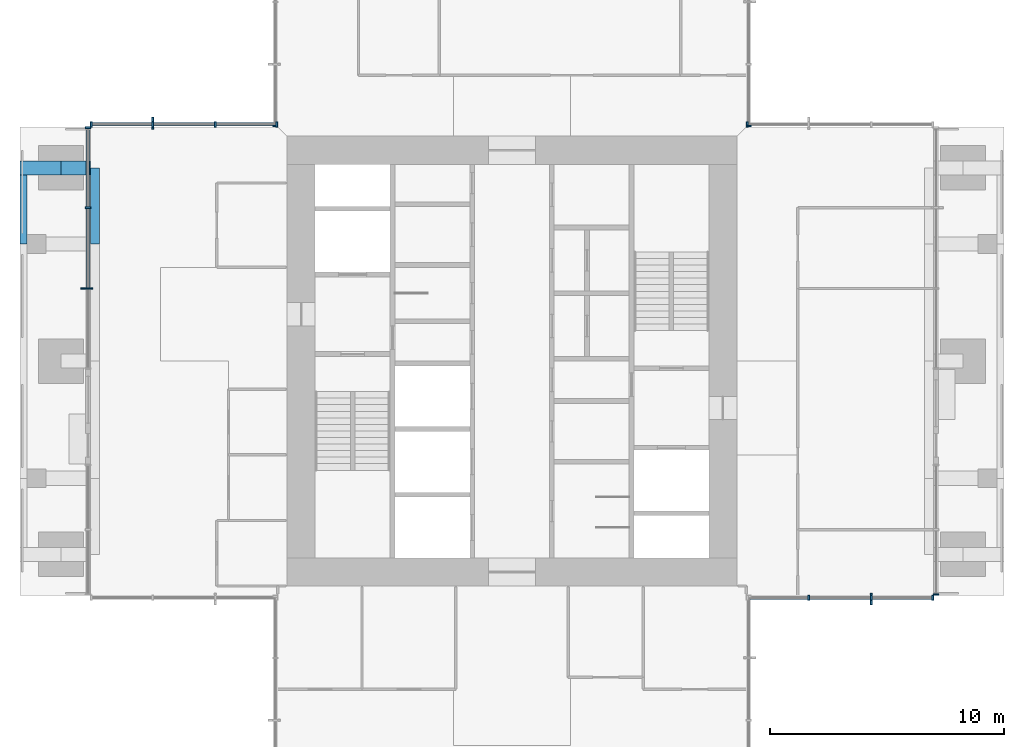
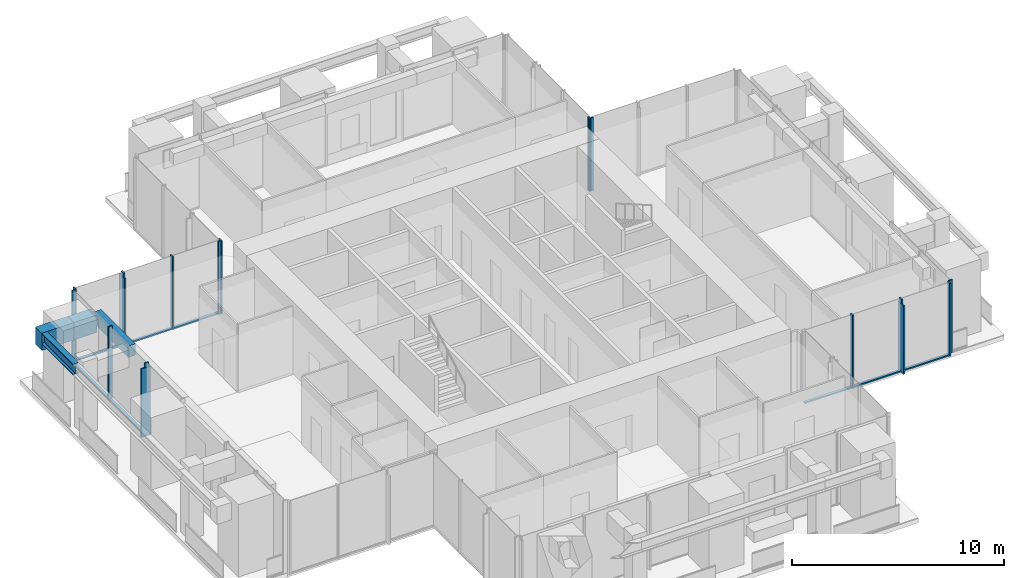
# One storey, part 3 of 12: 25 members, 4 beams, 7 elements without a shape of their own.
"""IFC4 building model written with IfcOpenShell, lengths in metres."""

from ifc_helpers import new_model, si_unit, direction, frame, origin, origin_2d, place, context, subcontext, project, spatial, rectangle, i_section, extrude, material, material_profile, profile_set, type_object, element, aggregate, save


model = new_model("IFC4")

# Units and contexts
model_context = context("Model", 3, precision=1e-05, world=origin(), true_north=direction((0.0, 1.0)))
body_context = subcontext(model_context, "Body", "Model", "MODEL_VIEW")
ifc_project = project(units=[si_unit("LENGTHUNIT", "METRE"), si_unit("AREAUNIT", "SQUARE_METRE"), si_unit("VOLUMEUNIT", "CUBIC_METRE"), si_unit("PLANEANGLEUNIT", "RADIAN"), si_unit("MASSUNIT", "GRAM", prefix="KILO")], contexts=[model_context])

# Site, building, storey
site_placement = place(None, origin())
site = spatial("IfcSite", under=ifc_project, at=site_placement, CompositionType="ELEMENT")
building_placement = place(site_placement, origin())
building = spatial("IfcBuilding", under=site, at=building_placement, Name="Svetlomir Tower", CompositionType="ELEMENT")
storey_placement = place(building_placement, frame((0.0, 0.0, 252.39990234375)))
storey = spatial("IfcBuildingStorey", under=building, at=storey_placement, Name="L60", CompositionType="ELEMENT", Elevation=252.39990234375)

# Curtain wall, member
ifc_material_1 = material(Name="Bronze anodised aluminium curtain wall", Category="aluminium")
curtain_wall_type = type_object("IfcCurtainWallType", Name="CURTAIN WALL CW4 EXECUTIVE", PredefinedType="NOTDEFINED", material=ifc_material_1)
curtain_wall_1_placement = place(storey_placement, origin())
curtain_wall_1 = element("IfcCurtainWall", 1, at=curtain_wall_1_placement, inside=storey, type_object=curtain_wall_type, Name="Curtain wall CW4 L60", PredefinedType="NOTDEFINED")
ifc_material_2 = material(Name="Bronze anodised aluminium", Category="aluminium")
ifc_material_profile_1 = material_profile(ifc_material_2, rectangle(XDim=0.080078125, YDim=0.5, at=origin_2d()), Name="FIN 80x500")
ifc_profile_set_1 = profile_set([ifc_material_profile_1], Name="Bronze anodised aluminium 6063-T6")
member_type_1 = type_object("IfcMemberType", Name="BRONZE FIN 80x500", PredefinedType="USERDEFINED", material=ifc_profile_set_1)
member_1_placement = place(storey_placement, frame((36.333251953125, 10.85009765625, 0.0), z_axis=(0.0, 0.0, 1.0), x_axis=(1.0, 0.0, 0.0)))
member_1 = element("IfcMember", 2, at=member_1_placement, type_object=member_type_1, Name="Bronze fin L60", ObjectType="FIN", PredefinedType="USERDEFINED", context=body_context, shape_type="SweptSolid", body=[
    extrude(rectangle(XDim=0.080078125, YDim=0.5, at=origin_2d()), origin(), (0.0, 0.0, 1.0), 3.9501953125),
])

curtain_wall_2_placement = place(storey_placement, origin())
curtain_wall_2 = element("IfcCurtainWall", 3, at=curtain_wall_2_placement, inside=storey, type_object=curtain_wall_type, Name="Curtain wall CW4 L60", PredefinedType="NOTDEFINED")
member_2_placement = place(storey_placement, frame((5.666748046875, 31.14990234375, 0.0), z_axis=(0.0, 0.0, 1.0), x_axis=(1.0, 0.0, 0.0)))
member_2 = element("IfcMember", 4, at=member_2_placement, type_object=member_type_1, Name="Bronze fin L60", ObjectType="FIN", PredefinedType="USERDEFINED", context=body_context, shape_type="SweptSolid", body=[
    extrude(rectangle(XDim=0.080078125, YDim=0.5, at=origin_2d()), origin(), (0.0, 0.0, 1.0), 3.9501953125),
])

curtain_wall_3_placement = place(storey_placement, origin())
curtain_wall_3 = element("IfcCurtainWall", 5, at=curtain_wall_3_placement, inside=storey, type_object=curtain_wall_type, Name="Curtain wall CW4 L60", PredefinedType="NOTDEFINED")
member_3_placement = place(storey_placement, frame((2.85009765625, 24.10009765625, 0.0), z_axis=(0.0, 0.0, 1.0), x_axis=(0.0, 1.0, 0.0)))
member_3 = element("IfcMember", 6, at=member_3_placement, type_object=member_type_1, Name="Bronze fin L60", ObjectType="FIN", PredefinedType="USERDEFINED", context=body_context, shape_type="SweptSolid", body=[
    extrude(rectangle(XDim=0.080078125, YDim=0.5, at=origin_2d()), origin(), (0.0, 0.0, 1.0), 3.9501953125),
])

# Member
ifc_material_3 = material(Name="Bronze anodised aluminium", Category="aluminium")
ifc_material_profile_2 = material_profile(ifc_material_3, rectangle(XDim=0.074951171875, YDim=0.219970703125, at=origin_2d()), Name="AL 75x220")
ifc_profile_set_2 = profile_set([ifc_material_profile_2], Name="Bronze anodised aluminium 6063-T6")
member_type_2 = type_object("IfcMemberType", Name="CW4 MULLION 75x220", PredefinedType="MULLION", material=ifc_profile_set_2)
member_4_placement = place(storey_placement, frame((33.666748046875, 10.89990234375, 0.0), z_axis=(0.0, 0.0, 1.0), x_axis=(1.0, 0.0, 0.0)))
member_4 = element("IfcMember", 7, at=member_4_placement, type_object=member_type_2, Name="CW4 mullion 2", PredefinedType="MULLION", context=body_context, shape_type="SweptSolid", body=[
    extrude(rectangle(XDim=0.074951171875, YDim=0.219970703125, at=origin_2d()), origin(), (0.0, 0.0, 1.0), 4.2001953125),
])

member_5_placement = place(storey_placement, frame((36.333251953125, 10.89990234375, 0.0), z_axis=(0.0, 0.0, 1.0), x_axis=(1.0, 0.0, 0.0)))
member_5 = element("IfcMember", 8, at=member_5_placement, type_object=member_type_2, Name="CW4 mullion 3", PredefinedType="MULLION", context=body_context, shape_type="SweptSolid", body=[
    extrude(rectangle(XDim=0.074951171875, YDim=0.219970703125, at=origin_2d()), origin(), (0.0, 0.0, 1.0), 4.2001953125),
])

member_6_placement = place(storey_placement, frame((38.96240234375, 10.89990234375, 0.0), z_axis=(0.0, 0.0, 1.0), x_axis=(1.0, 0.0, 0.0)))
member_6 = element("IfcMember", 9, at=member_6_placement, type_object=member_type_2, Name="CW4 mullion 4", PredefinedType="MULLION", context=body_context, shape_type="SweptSolid", body=[
    extrude(rectangle(XDim=0.074951171875, YDim=0.219970703125, at=origin_2d()), origin(), (0.0, 0.0, 1.0), 4.2001953125),
])

# Curtain wall, member
curtain_wall_4_placement = place(storey_placement, origin())
curtain_wall_4 = element("IfcCurtainWall", 10, at=curtain_wall_4_placement, inside=storey, type_object=curtain_wall_type, Name="Curtain wall CW4 L60", PredefinedType="NOTDEFINED")
member_7_placement = place(storey_placement, frame((39.10009765625, 11.03759765625, 0.0), z_axis=(0.0, 0.0, 1.0), x_axis=(0.0, 1.0, 0.0)))
member_7 = element("IfcMember", 11, at=member_7_placement, type_object=member_type_2, Name="CW4 mullion 1", PredefinedType="MULLION", context=body_context, shape_type="SweptSolid", body=[
    extrude(rectangle(XDim=0.074951171875, YDim=0.219970703125, at=origin_2d()), origin(), (0.0, 0.0, 1.0), 4.2001953125),
])
aggregate(curtain_wall_4, [member_7])

curtain_wall_5_placement = place(storey_placement, origin())
curtain_wall_5 = element("IfcCurtainWall", 12, at=curtain_wall_5_placement, inside=storey, type_object=curtain_wall_type, Name="Curtain wall CW4 L60", PredefinedType="NOTDEFINED")
member_8_placement = place(storey_placement, frame((31.03759765625, 31.10009765625, 0.0), z_axis=(0.0, 0.0, 1.0), x_axis=(-1.0, 0.0, 0.0)))
member_8 = element("IfcMember", 13, at=member_8_placement, type_object=member_type_2, Name="CW4 mullion 4", PredefinedType="MULLION", context=body_context, shape_type="SweptSolid", body=[
    extrude(rectangle(XDim=0.074951171875, YDim=0.219970703125, at=origin_2d()), origin(), (0.0, 0.0, 1.0), 4.2001953125),
])
aggregate(curtain_wall_5, [member_8])

curtain_wall_6_placement = place(storey_placement, origin())
curtain_wall_6 = element("IfcCurtainWall", 14, at=curtain_wall_6_placement, inside=storey, type_object=curtain_wall_type, Name="Curtain wall CW4 L60", PredefinedType="NOTDEFINED")
member_9_placement = place(storey_placement, frame((31.10009765625, 31.03759765625, 0.0), z_axis=(0.0, 0.0, 1.0), x_axis=(0.0, 1.0, 0.0)))
member_9 = element("IfcMember", 15, at=member_9_placement, type_object=member_type_2, Name="CW4 mullion 1", PredefinedType="MULLION", context=body_context, shape_type="SweptSolid", body=[
    extrude(rectangle(XDim=0.074951171875, YDim=0.219970703125, at=origin_2d()), origin(), (0.0, 0.0, 1.0), 4.2001953125),
])
aggregate(curtain_wall_6, [member_9])

curtain_wall_7_placement = place(storey_placement, origin())
curtain_wall_7 = element("IfcCurtainWall", 16, at=curtain_wall_7_placement, inside=storey, type_object=curtain_wall_type, Name="Curtain wall CW4 L60", PredefinedType="NOTDEFINED")
member_10_placement = place(storey_placement, frame((10.89990234375, 31.03759765625, 0.0), z_axis=(0.0, 0.0, 1.0), x_axis=(0.0, -1.0, 0.0)))
member_10 = element("IfcMember", 17, at=member_10_placement, type_object=member_type_2, Name="CW4 mullion 4", PredefinedType="MULLION", context=body_context, shape_type="SweptSolid", body=[
    extrude(rectangle(XDim=0.074951171875, YDim=0.219970703125, at=origin_2d()), origin(), (0.0, 0.0, 1.0), 4.2001953125),
])
aggregate(curtain_wall_7, [member_10])

# Member
member_11_placement = place(storey_placement, frame((10.96240234375, 31.10009765625, 0.0), z_axis=(0.0, 0.0, 1.0), x_axis=(-1.0, 0.0, 0.0)))
member_11 = element("IfcMember", 18, at=member_11_placement, type_object=member_type_2, Name="CW4 mullion 1", PredefinedType="MULLION", context=body_context, shape_type="SweptSolid", body=[
    extrude(rectangle(XDim=0.074951171875, YDim=0.219970703125, at=origin_2d()), origin(), (0.0, 0.0, 1.0), 4.2001953125),
])

member_12_placement = place(storey_placement, frame((8.333251953125, 31.10009765625, 0.0), z_axis=(0.0, 0.0, 1.0), x_axis=(-1.0, 0.0, 0.0)))
member_12 = element("IfcMember", 19, at=member_12_placement, type_object=member_type_2, Name="CW4 mullion 2", PredefinedType="MULLION", context=body_context, shape_type="SweptSolid", body=[
    extrude(rectangle(XDim=0.074951171875, YDim=0.219970703125, at=origin_2d()), origin(), (0.0, 0.0, 1.0), 4.2001953125),
])

member_13_placement = place(storey_placement, frame((5.666748046875, 31.10009765625, 0.0), z_axis=(0.0, 0.0, 1.0), x_axis=(-1.0, 0.0, 0.0)))
member_13 = element("IfcMember", 20, at=member_13_placement, type_object=member_type_2, Name="CW4 mullion 3", PredefinedType="MULLION", context=body_context, shape_type="SweptSolid", body=[
    extrude(rectangle(XDim=0.074951171875, YDim=0.219970703125, at=origin_2d()), origin(), (0.0, 0.0, 1.0), 4.2001953125),
])

member_14_placement = place(storey_placement, frame((3.03759765625, 31.10009765625, 0.0), z_axis=(0.0, 0.0, 1.0), x_axis=(-1.0, 0.0, 0.0)))
member_14 = element("IfcMember", 21, at=member_14_placement, type_object=member_type_2, Name="CW4 mullion 4", PredefinedType="MULLION", context=body_context, shape_type="SweptSolid", body=[
    extrude(rectangle(XDim=0.074951171875, YDim=0.219970703125, at=origin_2d()), origin(), (0.0, 0.0, 1.0), 4.2001953125),
])

member_15_placement = place(storey_placement, frame((2.89990234375, 30.96240234375, 0.0), z_axis=(0.0, 0.0, 1.0), x_axis=(0.0, -1.0, 0.0)))
member_15 = element("IfcMember", 22, at=member_15_placement, type_object=member_type_2, Name="CW4 mullion 1", PredefinedType="MULLION", context=body_context, shape_type="SweptSolid", body=[
    extrude(rectangle(XDim=0.074951171875, YDim=0.219970703125, at=origin_2d()), origin(), (0.0, 0.0, 1.0), 4.2001953125),
])

member_16_placement = place(storey_placement, frame((2.89990234375, 27.550048828125, 0.0), z_axis=(0.0, 0.0, 1.0), x_axis=(0.0, -1.0, 0.0)))
member_16 = element("IfcMember", 23, at=member_16_placement, type_object=member_type_2, Name="CW4 mullion 2", PredefinedType="MULLION", context=body_context, shape_type="SweptSolid", body=[
    extrude(rectangle(XDim=0.074951171875, YDim=0.219970703125, at=origin_2d()), origin(), (0.0, 0.0, 1.0), 4.2001953125),
])

member_17_placement = place(storey_placement, frame((2.89990234375, 24.10009765625, 0.0), z_axis=(0.0, 0.0, 1.0), x_axis=(0.0, -1.0, 0.0)))
member_17 = element("IfcMember", 24, at=member_17_placement, type_object=member_type_2, Name="CW4 mullion 3", PredefinedType="MULLION", context=body_context, shape_type="SweptSolid", body=[
    extrude(rectangle(XDim=0.074951171875, YDim=0.219970703125, at=origin_2d()), origin(), (0.0, 0.0, 1.0), 4.2001953125),
])

ifc_material_4 = material(Name="Bronze anodised aluminium", Category="aluminium")
ifc_material_profile_3 = material_profile(ifc_material_4, rectangle(XDim=0.14990234375, YDim=0.074951171875, at=origin_2d()), Name="AL 150x75")
ifc_profile_set_3 = profile_set([ifc_material_profile_3], Name="Bronze anodised aluminium 6063-T6")
member_type_3 = type_object("IfcMemberType", Name="CW4 TRANSOM 75x150", PredefinedType="USERDEFINED", material=ifc_profile_set_3)
member_18_placement = place(storey_placement, frame((31.074951171875, 10.89990234375, 0.03759765625), z_axis=(1.0, 0.0, 0.0), x_axis=(0.0, 1.0, 0.0)))
member_18 = element("IfcMember", 25, at=member_18_placement, type_object=member_type_3, Name="CW4 transom 1.1", ObjectType="TRANSOM", PredefinedType="USERDEFINED", context=body_context, shape_type="SweptSolid", body=[
    extrude(rectangle(XDim=0.14990234375, YDim=0.074951171875, at=origin_2d()), origin(), (0.0, 0.0, 1.0), 2.55419921875),
])

member_19_placement = place(storey_placement, frame((33.7041015625, 10.89990234375, 0.03759765625), z_axis=(1.0, 0.0, 0.0), x_axis=(0.0, 1.0, 0.0)))
member_19 = element("IfcMember", 26, at=member_19_placement, type_object=member_type_3, Name="CW4 transom 2.1", ObjectType="TRANSOM", PredefinedType="USERDEFINED", context=body_context, shape_type="SweptSolid", body=[
    extrude(rectangle(XDim=0.14990234375, YDim=0.074951171875, at=origin_2d()), origin(), (0.0, 0.0, 1.0), 2.591796875),
])

member_20_placement = place(storey_placement, frame((36.370849609375, 10.89990234375, 0.03759765625), z_axis=(1.0, 0.0, 0.0), x_axis=(0.0, 1.0, 0.0)))
member_20 = element("IfcMember", 27, at=member_20_placement, type_object=member_type_3, Name="CW4 transom 3.1", ObjectType="TRANSOM", PredefinedType="USERDEFINED", context=body_context, shape_type="SweptSolid", body=[
    extrude(rectangle(XDim=0.14990234375, YDim=0.074951171875, at=origin_2d()), origin(), (0.0, 0.0, 1.0), 2.55419921875),
])

aggregate(curtain_wall_1, [member_4, member_5, member_6, member_18, member_19, member_20, member_1])

member_21_placement = place(storey_placement, frame((10.925048828125, 31.10009765625, 0.03759765625), z_axis=(-1.0, 0.0, 0.0), x_axis=(0.0, -1.0, 0.0)))
member_21 = element("IfcMember", 28, at=member_21_placement, type_object=member_type_3, Name="CW4 transom 1.1", ObjectType="TRANSOM", PredefinedType="USERDEFINED", context=body_context, shape_type="SweptSolid", body=[
    extrude(rectangle(XDim=0.14990234375, YDim=0.074951171875, at=origin_2d()), origin(), (0.0, 0.0, 1.0), 2.55419921875),
])

member_22_placement = place(storey_placement, frame((8.2958984375, 31.10009765625, 0.03759765625), z_axis=(-1.0, 0.0, 0.0), x_axis=(0.0, -1.0, 0.0)))
member_22 = element("IfcMember", 29, at=member_22_placement, type_object=member_type_3, Name="CW4 transom 2.1", ObjectType="TRANSOM", PredefinedType="USERDEFINED", context=body_context, shape_type="SweptSolid", body=[
    extrude(rectangle(XDim=0.14990234375, YDim=0.074951171875, at=origin_2d()), origin(), (0.0, 0.0, 1.0), 2.591796875),
])

member_23_placement = place(storey_placement, frame((5.629150390625, 31.10009765625, 0.03759765625), z_axis=(-1.0, 0.0, 0.0), x_axis=(0.0, -1.0, 0.0)))
member_23 = element("IfcMember", 30, at=member_23_placement, type_object=member_type_3, Name="CW4 transom 3.1", ObjectType="TRANSOM", PredefinedType="USERDEFINED", context=body_context, shape_type="SweptSolid", body=[
    extrude(rectangle(XDim=0.14990234375, YDim=0.074951171875, at=origin_2d()), origin(), (0.0, 0.0, 1.0), 2.55419921875),
])

aggregate(curtain_wall_2, [member_11, member_12, member_13, member_14, member_21, member_22, member_23, member_2])

member_24_placement = place(storey_placement, frame((2.89990234375, 30.925048828125, 0.03759765625), z_axis=(0.0, -1.0, 0.0), x_axis=(1.0, 0.0, 0.0)))
member_24 = element("IfcMember", 31, at=member_24_placement, type_object=member_type_3, Name="CW4 transom 1.1", ObjectType="TRANSOM", PredefinedType="USERDEFINED", context=body_context, shape_type="SweptSolid", body=[
    extrude(rectangle(XDim=0.14990234375, YDim=0.074951171875, at=origin_2d()), origin(), (0.0, 0.0, 1.0), 3.337646484375),
])

member_25_placement = place(storey_placement, frame((2.89990234375, 27.512451171875, 0.03759765625), z_axis=(0.0, -1.0, 0.0), x_axis=(1.0, 0.0, 0.0)))
member_25 = element("IfcMember", 32, at=member_25_placement, type_object=member_type_3, Name="CW4 transom 2.1", ObjectType="TRANSOM", PredefinedType="USERDEFINED", context=body_context, shape_type="SweptSolid", body=[
    extrude(rectangle(XDim=0.14990234375, YDim=0.074951171875, at=origin_2d()), origin(), (0.0, 0.0, 1.0), 3.375),
])

aggregate(curtain_wall_3, [member_15, member_16, member_17, member_24, member_25, member_3])

# Beams
ifc_material_5 = material(Name="Steel S355", Category="steel")
ifc_material_profile_4 = material_profile(ifc_material_5, i_section(OverallWidth=0.304931640625, OverallDepth=0.6201171875, WebThickness=0.02099609375, FlangeThickness=0.0400390625, FilletRadius=0.027099609375, at=origin_2d()), Name="HEM 600")
ifc_profile_set_4 = profile_set([ifc_material_profile_4], Name="Steel S355")
beam_type_1 = type_object("IfcBeamType", Name="EDGE BEAM HEM 600", PredefinedType="SPANDREL", material=ifc_profile_set_4)
beam_1_placement = place(storey_placement, frame((0.152587890625, 26.0, 3.64013671875), z_axis=(0.0, 1.0, 0.0), x_axis=(-1.0, 0.0, 0.0)))
element("IfcBeam", 33, at=beam_1_placement, inside=storey, type_object=beam_type_1, Name="Edge beam 0/26 to 0/31 under L61", PredefinedType="SPANDREL", context=body_context, shape_type="SweptSolid", body=[
    extrude(i_section(OverallWidth=0.304931640625, OverallDepth=0.6201171875, WebThickness=0.02099609375, FlangeThickness=0.0400390625, FilletRadius=0.027099609375, at=origin_2d()), origin(), (0.0, 0.0, 1.0), 2.949951171875),
])
ifc_material_6 = material(Name="Concrete C60/75", Category="concrete")
ifc_material_profile_5 = material_profile(ifc_material_6, rectangle(XDim=0.60009765625, YDim=1.0, at=origin_2d()), Name="RC 600x1000")
ifc_profile_set_5 = profile_set([ifc_material_profile_5], Name="Concrete C60/75")
beam_type_2 = type_object("IfcBeamType", Name="EDGE LINK BEAM RC 600x1000", PredefinedType="BEAM", material=ifc_profile_set_5)
beam_2_placement = place(storey_placement, frame((1.75, 29.25, 3.4501953125), z_axis=(-1.0, 0.0, 0.0), x_axis=(0.0, -1.0, 0.0)))
element("IfcBeam", 34, at=beam_2_placement, inside=storey, type_object=beam_type_2, Name="Edge link beam W 0/31 under L61", PredefinedType="BEAM", context=body_context, shape_type="SweptSolid", body=[
    extrude(rectangle(XDim=0.60009765625, YDim=1.0, at=origin_2d()), origin(), (0.0, 0.0, 1.0), 1.75),
])
ifc_material_7 = material(Name="Concrete C60/75", Category="concrete")
ifc_material_profile_6 = material_profile(ifc_material_7, rectangle(XDim=0.39990234375, YDim=0.64990234375, at=origin_2d()), Name="RC 400x650")
ifc_profile_set_6 = profile_set([ifc_material_profile_6], Name="Concrete C60/75")
beam_type_3 = type_object("IfcBeamType", Name="FACADE EDGE BEAM RC 400x650", PredefinedType="BEAM", material=ifc_profile_set_6)
beam_3_placement = place(storey_placement, frame((3.199951171875, 26.0, 3.625), z_axis=(0.0, 1.0, 0.0), x_axis=(-1.0, 0.0, 0.0)))
element("IfcBeam", 35, at=beam_3_placement, inside=storey, type_object=beam_type_3, Name="Facade edge beam W 26 to 31 under L61", PredefinedType="BEAM", context=body_context, shape_type="SweptSolid", body=[
    extrude(rectangle(XDim=0.39990234375, YDim=0.64990234375, at=origin_2d()), origin(), (0.0, 0.0, 1.0), 3.25),
])
ifc_material_8 = material(Name="Concrete C60/75", Category="concrete")
ifc_material_profile_7 = material_profile(ifc_material_8, rectangle(XDim=0.60009765625, YDim=1.0, at=origin_2d()), Name="RC 600x1000")
ifc_profile_set_7 = profile_set([ifc_material_profile_7], Name="Concrete C60/75")
beam_type_4 = type_object("IfcBeamType", Name="LOGGIA LINK BEAM RC 600x1000", PredefinedType="BEAM", material=ifc_profile_set_7)
beam_4_placement = place(storey_placement, frame((1.75, 29.25, 3.4501953125), z_axis=(1.0, 0.0, 0.0), x_axis=(0.0, 1.0, 0.0)))
element("IfcBeam", 36, at=beam_4_placement, inside=storey, type_object=beam_type_4, Name="Loggia link beam W 31 under L61", PredefinedType="BEAM", context=body_context, shape_type="SweptSolid", body=[
    extrude(rectangle(XDim=0.60009765625, YDim=1.0, at=origin_2d()), origin(), (0.0, 0.0, 1.0), 1.25),
])

save(model, "model.ifc")
